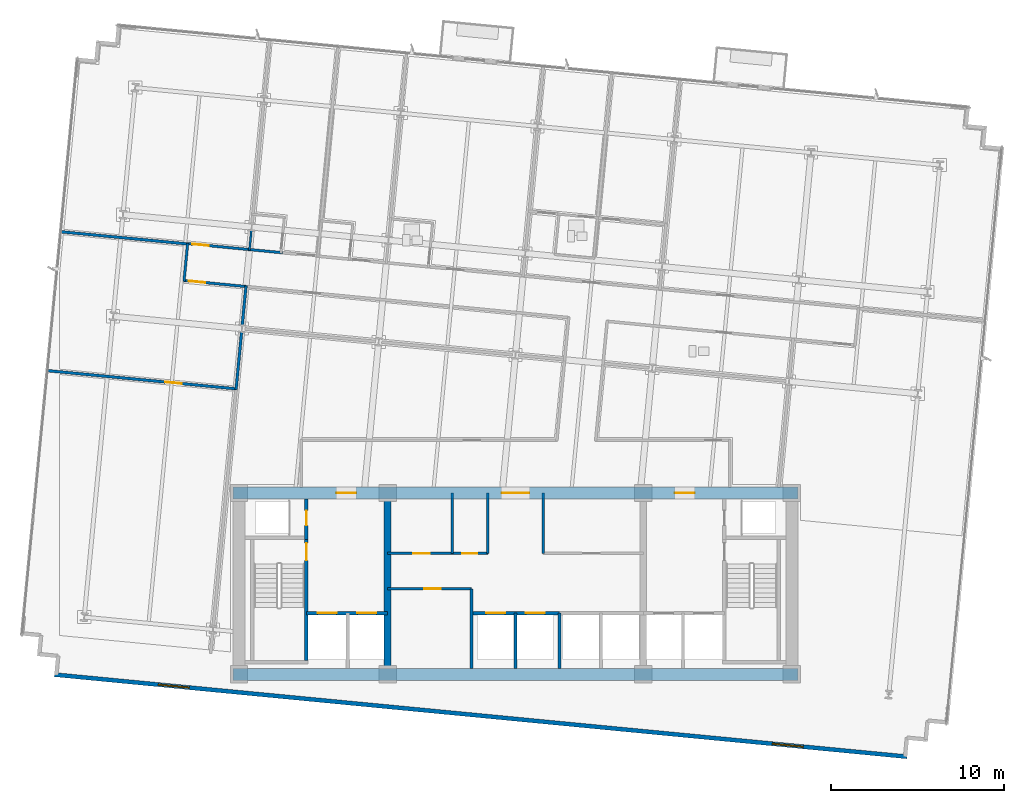
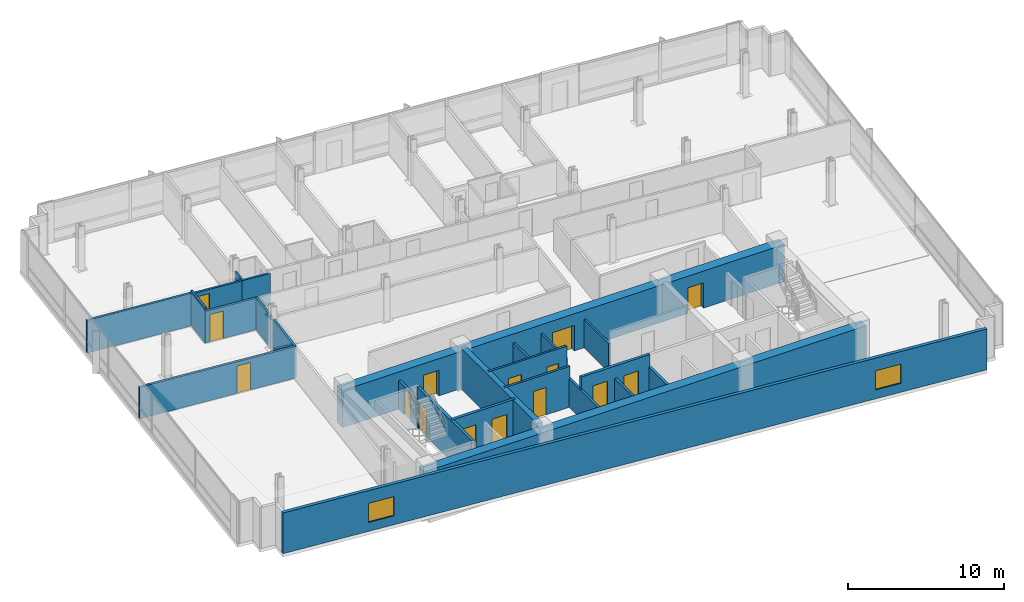
# One storey, part 10 of 17: 25 walls, 15 doors, 2 windows, 17 openings.
"""IFC4 building model written with IfcOpenShell, lengths in metres."""

from ifc_helpers import new_model, si_unit, direction, frame, frame_2d, origin, place, context, subcontext, project, spatial, rectangle, extrude, material, layer, layer_set, type_object, element, fill, save


model = new_model("IFC4")

# Units and contexts
model_context = context("Model", 3, precision=1e-05, world=origin(), true_north=direction((0.0, 1.0)))
body_context = subcontext(model_context, "Body", "Model", "MODEL_VIEW")
ifc_project = project(units=[si_unit("LENGTHUNIT", "METRE"), si_unit("AREAUNIT", "SQUARE_METRE"), si_unit("VOLUMEUNIT", "CUBIC_METRE"), si_unit("PLANEANGLEUNIT", "RADIAN"), si_unit("MASSUNIT", "GRAM", prefix="KILO")], contexts=[model_context])

# Site, building, storey
site_placement = place(None, origin())
site = spatial("IfcSite", under=ifc_project, at=site_placement, CompositionType="ELEMENT")
building_placement = place(site_placement, origin())
building = spatial("IfcBuilding", under=site, at=building_placement, Name="Solmavex Isthmus Hotel", CompositionType="ELEMENT")
storey_placement = place(building_placement, frame((0.0, 0.0, 149.699951171875)))
storey = spatial("IfcBuildingStorey", under=building, at=storey_placement, Name="L40", CompositionType="ELEMENT", Elevation=149.699951171875)

# Wall, openings, windows
ifc_material_1 = material(Name="Precast Concrete C40/50", Category="concrete")
ifc_layer_1 = layer(ifc_material_1, 0.25)
ifc_layer_set_1 = layer_set([ifc_layer_1], Name="Precast Concrete C40/50")
wall_type_1 = type_object("IfcWallType", Name="EW-TWR-250", PredefinedType="STANDARD", material=ifc_layer_set_1)
wall_1_placement = place(storey_placement, frame((-26.6953125, -13.01611328125, 0.0), z_axis=(0.0, 0.0, 1.0), x_axis=(0.995396268366, -0.095845025554, 0.0)))
wall_1 = element("IfcWall", 1, at=wall_1_placement, inside=storey, type_object=wall_type_1, Name="Tower Rear South Facade Wall L40", PredefinedType="STANDARD", context=body_context, shape_type="SweptSolid", body=[
    extrude(rectangle(XDim=49.599853515625, YDim=0.239990234375, at=frame_2d((24.7998046875, 0.0))), origin(), (0.0, 0.0, 1.0), 3.18994140625),
])
opening_1_placement = place(wall_1_placement, frame((6.0439453125, 0.0, 0.699951171875)))
opening_1 = element("IfcOpeningElement", 2, at=opening_1_placement, cuts=wall_1, Name="Opening WN-02", PredefinedType="OPENING", context=body_context, shape_type="SweptSolid", body=[
    extrude(rectangle(XDim=1.800048828125, YDim=1.5, at=frame_2d((0.89990234375, 0.75))), frame((0.0, 0.1298828125, 0.0), z_axis=(0.0, -1.0, 0.0), x_axis=(1.0, 0.0, 0.0)), (0.0, 0.0, 1.0), 0.260009765625),
])
opening_2_placement = place(wall_1_placement, frame((41.756103515625, 0.0, 0.699951171875)))
opening_2 = element("IfcOpeningElement", 3, at=opening_2_placement, cuts=wall_1, Name="Opening WN-02", PredefinedType="OPENING", context=body_context, shape_type="SweptSolid", body=[
    extrude(rectangle(XDim=1.800048828125, YDim=1.5, at=frame_2d((0.89990234375, 0.75))), frame((0.0, 0.1298828125, 0.0), z_axis=(0.0, -1.0, 0.0), x_axis=(1.0, 0.0, 0.0)), (0.0, 0.0, 1.0), 0.260009765625),
])
ifc_material_2 = material(Name="Clear low-E laminated glass", Category="glass")
window_type = type_object("IfcWindowType", Name="WIN-TWR-1800", PartitioningType="SINGLE_PANEL", PredefinedType="WINDOW", material=ifc_material_2)
window_1_placement = place(opening_1_placement, origin())
window_1 = element("IfcWindow", 4, at=window_1_placement, inside=storey, type_object=window_type, Name="South Facade Vision Window L40-S1", OverallHeight=1.5, OverallWidth=1.800048828125, PartitioningType="SINGLE_PANEL", PredefinedType="WINDOW", context=body_context, shape_type="SweptSolid", body=[
    extrude(rectangle(XDim=1.800048828125, YDim=1.5, at=frame_2d((0.89990234375, 0.75))), frame((0.0, 0.030029296875, 0.0), z_axis=(0.0, -1.0, 0.0), x_axis=(1.0, 0.0, 0.0)), (0.0, 0.0, 1.0), 0.06005859375),
])
fill(opening_1, window_1)
window_2_placement = place(opening_2_placement, origin())
window_2 = element("IfcWindow", 5, at=window_2_placement, inside=storey, type_object=window_type, Name="South Facade Vision Window L40-S2", OverallHeight=1.5, OverallWidth=1.800048828125, PartitioningType="SINGLE_PANEL", PredefinedType="WINDOW", context=body_context, shape_type="SweptSolid", body=[
    extrude(rectangle(XDim=1.800048828125, YDim=1.5, at=frame_2d((0.89990234375, 0.75))), frame((0.0, 0.030029296875, 0.0), z_axis=(0.0, -1.0, 0.0), x_axis=(1.0, 0.0, 0.0)), (0.0, 0.0, 1.0), 0.06005859375),
])
fill(opening_2, window_2)

# Wall, opening, door
ifc_material_3 = material(Name="Gypsum plasterboard lining", Category="gypsum")
ifc_layer_2 = layer(ifc_material_3, 0.159912109375)
ifc_layer_set_2 = layer_set([ifc_layer_2], Name="Gypsum plasterboard lining")
wall_type_2 = type_object("IfcWallType", Name="IW-COMP-160", PredefinedType="PARTITIONING", material=ifc_layer_set_2)
wall_2_placement = place(storey_placement, frame((-7.39990234375, -8.050048828125, 0.0), z_axis=(0.0, 0.0, 1.0), x_axis=(1.0, 0.0, 0.0)))
wall_2 = element("IfcWall", 6, at=wall_2_placement, inside=storey, type_object=wall_type_2, Name="Interior Partition Wall W-L40-REC-PLL-N", PredefinedType="PARTITIONING", context=body_context, shape_type="SweptSolid", body=[
    extrude(rectangle(XDim=4.849853515625, YDim=0.159912109375, at=frame_2d((2.4248046875, 0.0))), origin(), (0.0, 0.0, 1.0), 3.18994140625),
])
opening_3_placement = place(wall_2_placement, frame((2.125, 0.0, 0.0)))
opening_3 = element("IfcOpeningElement", 7, at=opening_3_placement, cuts=wall_2, Name="Opening ID-C095", PredefinedType="OPENING", context=body_context, shape_type="SweptSolid", body=[
    extrude(rectangle(XDim=0.949951171875, YDim=2.14990234375, at=frame_2d((0.47509765625, 1.074951171875))), frame((0.0, 0.08984375, 0.0), z_axis=(0.0, -1.0, 0.0), x_axis=(1.0, 0.0, 0.0)), (0.0, 0.0, 1.0), 0.179931640625),
])
ifc_material_4 = material(Name="Hardwood timber", Category="wood")
door_type_1 = type_object("IfcDoorType", Name="IDR-FD60-0950", OperationType="NOTDEFINED", PredefinedType="DOOR", material=ifc_material_4)
door_1_placement = place(opening_3_placement, origin())
door_1 = element("IfcDoor", 8, at=door_1_placement, inside=storey, type_object=door_type_1, Name="Linen Reserve Door L40", OperationType="SINGLE_SWING_LEFT", OverallHeight=2.14990234375, OverallWidth=0.949951171875, PredefinedType="DOOR", context=body_context, shape_type="SweptSolid", body=[
    extrude(rectangle(XDim=0.949951171875, YDim=2.14990234375, at=frame_2d((0.47509765625, 1.074951171875))), frame((0.0, 0.02490234375, 0.0), z_axis=(0.0, -1.0, 0.0), x_axis=(1.0, 0.0, 0.0)), (0.0, 0.0, 1.0), 0.050048828125),
])
fill(opening_3, door_1)

# Walls
wall_3_placement = place(storey_placement, frame((-2.550048828125, -12.64990234375, 0.0), z_axis=(0.0, 0.0, 1.0), x_axis=(0.0, 1.0, 0.0)))
element("IfcWall", 9, at=wall_3_placement, inside=storey, type_object=wall_type_2, Name="Interior Partition Wall W-L40-REC-PLL-E", PredefinedType="PARTITIONING", context=body_context, shape_type="SweptSolid", body=[
    extrude(rectangle(XDim=4.599853515625, YDim=0.159912109375, at=frame_2d((2.2998046875, 0.0))), origin(), (0.0, 0.0, 1.0), 2.22509765625),
])
wall_4_placement = place(storey_placement, frame((-18.942138671875, 11.91552734375, 0.0), z_axis=(0.0, 0.0, 1.0), x_axis=(-0.995395927026, 0.095848570461, 0.0)))
element("IfcWall", 10, at=wall_4_placement, inside=storey, type_object=wall_type_2, Name="Interior Partition Wall W-L40-P027", PredefinedType="PARTITIONING", context=body_context, shape_type="SweptSolid", body=[
    extrude(rectangle(XDim=7.44775390625, YDim=0.159912109375, at=frame_2d((3.723876953125, 0.0))), origin(), (0.0, 0.0, 1.0), 2.5576171875),
])
wall_5_placement = place(storey_placement, frame((-15.820556640625, 7.190673828125, 0.0), z_axis=(0.0, 0.0, 1.0), x_axis=(0.09580488871, 0.995400132258, 0.0)))
element("IfcWall", 11, at=wall_5_placement, inside=storey, type_object=wall_type_2, Name="Interior Partition Wall W-L40-P059", PredefinedType="PARTITIONING", context=body_context, shape_type="SweptSolid", body=[
    extrude(rectangle(XDim=2.31396484375, YDim=0.159912109375, at=frame_2d((1.156982421875, 0.0))), origin(), (0.0, 0.0, 1.0), 2.4794921875),
])
wall_6_placement = place(storey_placement, frame((-15.854248046875, 6.84033203125, 0.0), z_axis=(0.0, 0.0, 1.0), x_axis=(-0.095867281951, -0.995394125084, 0.0)))
element("IfcWall", 12, at=wall_6_placement, inside=storey, type_object=wall_type_2, Name="Interior Partition Wall W-L40-P064", PredefinedType="PARTITIONING", context=body_context, shape_type="SweptSolid", body=[
    extrude(rectangle(XDim=3.364013671875, YDim=0.159912109375, at=frame_2d((1.68212890625, 0.0))), origin(), (0.0, 0.0, 1.0), 2.4794921875),
])

# Wall, opening, door
wall_7_placement = place(storey_placement, frame((-16.133056640625, 3.52783203125, 0.0), z_axis=(0.0, 0.0, 1.0), x_axis=(-0.99539691551, 0.095838304419, 0.0)))
wall_7 = element("IfcWall", 13, at=wall_7_placement, inside=storey, type_object=wall_type_2, Name="Interior Partition Wall W-L40-P065", PredefinedType="PARTITIONING", context=body_context, shape_type="SweptSolid", body=[
    extrude(rectangle(XDim=11.048095703125, YDim=0.159912109375, at=frame_2d((5.52392578125, 0.0))), origin(), (0.0, 0.0, 1.0), 2.4794921875),
])
opening_4_placement = place(wall_7_placement, frame((3.206298828125, 0.0, 0.0)))
opening_4 = element("IfcOpeningElement", 14, at=opening_4_placement, cuts=wall_7, Name="Opening ID-C095", PredefinedType="OPENING", context=body_context, shape_type="SweptSolid", body=[
    extrude(rectangle(XDim=0.949951171875, YDim=2.14990234375, at=frame_2d((0.47509765625, 1.074951171875))), frame((0.0, 0.08984375, 0.0), z_axis=(0.0, -1.0, 0.0), x_axis=(1.0, 0.0, 0.0)), (0.0, 0.0, 1.0), 0.179931640625),
])
door_2_placement = place(opening_4_placement, origin())
door_2 = element("IfcDoor", 15, at=door_2_placement, inside=storey, type_object=door_type_1, Name="Corporate Briefing Office Door L40-19", OperationType="SINGLE_SWING_LEFT", OverallHeight=2.14990234375, OverallWidth=0.949951171875, PredefinedType="DOOR", context=body_context, shape_type="SweptSolid", body=[
    extrude(rectangle(XDim=0.949951171875, YDim=2.14990234375, at=frame_2d((0.47509765625, 1.074951171875))), frame((0.0, 0.02490234375, 0.0), z_axis=(0.0, -1.0, 0.0), x_axis=(1.0, 0.0, 0.0)), (0.0, 0.0, 1.0), 0.050048828125),
])
fill(opening_4, door_2)

# Wall, openings, doors
ifc_layer_3 = layer(ifc_material_3, 0.14990234375)
ifc_layer_set_3 = layer_set([ifc_layer_3], Name="Gypsum plasterboard lining")
wall_type_3 = type_object("IfcWallType", Name="IW-CORR-150", PredefinedType="PARTITIONING", material=ifc_layer_set_3)
wall_8_placement = place(storey_placement, frame((-7.39990234375, -6.0, 0.0), z_axis=(0.0, 0.0, 1.0), x_axis=(1.0, 0.0, 0.0)))
wall_8 = element("IfcWall", 16, at=wall_8_placement, inside=storey, type_object=wall_type_3, Name="Interior Partition Wall W-L40-BOH-WS", PredefinedType="PARTITIONING", context=body_context, shape_type="SweptSolid", body=[
    extrude(rectangle(XDim=5.7998046875, YDim=0.14990234375, at=frame_2d((2.89990234375, 0.0))), origin(), (0.0, 0.0, 1.0), 3.18994140625),
])
opening_5_placement = place(wall_8_placement, frame((1.47509765625, 0.0, 0.0)))
opening_5 = element("IfcOpeningElement", 17, at=opening_5_placement, cuts=wall_8, Name="Opening ID-C095", PredefinedType="OPENING", context=body_context, shape_type="SweptSolid", body=[
    extrude(rectangle(XDim=0.949951171875, YDim=2.14990234375, at=frame_2d((0.47509765625, 1.074951171875))), frame((0.0, 0.0849609375, 0.0), z_axis=(0.0, -1.0, 0.0), x_axis=(1.0, 0.0, 0.0)), (0.0, 0.0, 1.0), 0.169921875),
])
opening_6_placement = place(wall_8_placement, frame((4.324951171875, 0.0, 0.0)))
opening_6 = element("IfcOpeningElement", 18, at=opening_6_placement, cuts=wall_8, Name="Opening ID-R085", PredefinedType="OPENING", context=body_context, shape_type="SweptSolid", body=[
    extrude(rectangle(XDim=0.85009765625, YDim=2.050048828125, at=frame_2d((0.425048828125, 1.02490234375))), frame((0.0, 0.0849609375, 0.0), z_axis=(0.0, -1.0, 0.0), x_axis=(1.0, 0.0, 0.0)), (0.0, 0.0, 1.0), 0.169921875),
])
ifc_material_5 = material(Name="Steel ASTM A500 Grade C", Category="steel")
door_type_2 = type_object("IfcDoorType", Name="IDR-FD60-0850", OperationType="NOTDEFINED", PredefinedType="DOOR", material=ifc_material_5)
door_3_placement = place(opening_6_placement, frame((0.85009765625, 0.0, 0.0), z_axis=(0.0, 0.0, 1.0), x_axis=(-1.0, 0.0, 0.0)))
door_3 = element("IfcDoor", 19, at=door_3_placement, inside=storey, type_object=door_type_2, Name="Cleaner Closet Door L40", OperationType="SINGLE_SWING_RIGHT", OverallHeight=2.050048828125, OverallWidth=0.85009765625, PredefinedType="DOOR", context=body_context, shape_type="SweptSolid", body=[
    extrude(rectangle(XDim=0.85009765625, YDim=2.050048828125, at=frame_2d((0.425048828125, 1.02490234375))), frame((0.0, 0.02490234375, 0.0), z_axis=(0.0, -1.0, 0.0), x_axis=(1.0, 0.0, 0.0)), (0.0, 0.0, 1.0), 0.050048828125),
])
fill(opening_6, door_3)
door_4_placement = place(opening_5_placement, frame((0.949951171875, 0.0, 0.0), z_axis=(0.0, 0.0, 1.0), x_axis=(-1.0, 0.0, 0.0)))
door_4 = element("IfcDoor", 20, at=door_4_placement, inside=storey, type_object=door_type_1, Name="Housekeeping Store Door L40", OperationType="SINGLE_SWING_LEFT", OverallHeight=2.14990234375, OverallWidth=0.949951171875, PredefinedType="DOOR", context=body_context, shape_type="SweptSolid", body=[
    extrude(rectangle(XDim=0.949951171875, YDim=2.14990234375, at=frame_2d((0.47509765625, 1.074951171875))), frame((0.0, 0.02490234375, 0.0), z_axis=(0.0, -1.0, 0.0), x_axis=(1.0, 0.0, 0.0)), (0.0, 0.0, 1.0), 0.050048828125),
])
fill(opening_5, door_4)

# Walls
for number, where, z_axis, x_axis, name in (
    (21, (-1.60009765625, -6.0, 0.0), (0.0, 0.0, 1.0), (0.0, 1.0, 0.0), "Interior Partition Wall W-L40-BOH-WE"),
    (22, (1.60009765625, -6.0, 0.0), (0.0, 0.0, 1.0), (0.0, 1.0, 0.0), "Interior Partition Wall W-L40-BOH-EW"),
):
    element("IfcWall", number, at=place(storey_placement, frame(where, z_axis=z_axis, x_axis=x_axis)), inside=storey, type_object=wall_type_3, Name=name, PredefinedType="PARTITIONING", context=body_context, shape_type="SweptSolid", body=[
        extrude(rectangle(XDim=3.5, YDim=0.14990234375, at=frame_2d((1.75, 0.0))), origin(), (0.0, 0.0, 1.0), 2.22509765625),
    ])

# Wall, opening, door
wall_9_placement = place(storey_placement, frame((-19.019775390625, 11.943115234375, 0.0), z_axis=(0.0, 0.0, 1.0), x_axis=(0.995397364202, -0.095833644092, 0.0)))
wall_9 = element("IfcWall", 23, at=wall_9_placement, inside=storey, type_object=wall_type_3, Name="Interior Partition Wall W-L40-P001", PredefinedType="PARTITIONING", context=body_context, shape_type="SweptSolid", body=[
    extrude(rectangle(XDim=3.721923828125, YDim=0.14990234375, at=frame_2d((1.86083984375, 0.0))), origin(), (0.0, 0.0, 1.0), 2.4794921875),
])
opening_7_placement = place(wall_9_placement, frame((0.315185546875, 0.0, 0.0)))
opening_7 = element("IfcOpeningElement", 24, at=opening_7_placement, cuts=wall_9, Name="Opening ID-C095", PredefinedType="OPENING", context=body_context, shape_type="SweptSolid", body=[
    extrude(rectangle(XDim=0.949951171875, YDim=2.14990234375, at=frame_2d((0.47509765625, 1.074951171875))), frame((0.0, 0.0849609375, 0.0), z_axis=(0.0, -1.0, 0.0), x_axis=(1.0, 0.0, 0.0)), (0.0, 0.0, 1.0), 0.169921875),
])
door_5_placement = place(opening_7_placement, frame((0.949951171875, 0.0, 0.0), z_axis=(0.0, 0.0, 1.0), x_axis=(-1.0, 0.0, 0.0)))
door_5 = element("IfcDoor", 25, at=door_5_placement, inside=storey, type_object=door_type_1, Name="Executive Hospitality Lounge Door L40-01", OperationType="SINGLE_SWING_LEFT", OverallHeight=2.14990234375, OverallWidth=0.949951171875, PredefinedType="DOOR", context=body_context, shape_type="SweptSolid", body=[
    extrude(rectangle(XDim=0.949951171875, YDim=2.14990234375, at=frame_2d((0.47509765625, 1.074951171875))), frame((0.0, 0.02490234375, 0.0), z_axis=(0.0, -1.0, 0.0), x_axis=(1.0, 0.0, 0.0)), (0.0, 0.0, 1.0), 0.050048828125),
])
fill(opening_7, door_5)

# Wall
wall_10_placement = place(storey_placement, frame((-15.478271484375, 11.60205078125, 0.0), z_axis=(0.0, 0.0, 1.0), x_axis=(0.995394211968, -0.095866379824, 0.0)))
element("IfcWall", 26, at=wall_10_placement, inside=storey, type_object=wall_type_3, Name="Interior Partition Wall W-L40-P003", PredefinedType="PARTITIONING", context=body_context, shape_type="SweptSolid", body=[
    extrude(rectangle(XDim=1.994140625, YDim=0.14990234375, at=frame_2d((0.9970703125, 0.0))), origin(), (0.0, 0.0, 1.0), 2.4794921875),
])

# Wall, opening, door
wall_11_placement = place(storey_placement, frame((-15.52099609375, 9.4462890625, 0.0), z_axis=(0.0, 0.0, 1.0), x_axis=(-0.995397364202, 0.095833644092, 0.0)))
wall_11 = element("IfcWall", 27, at=wall_11_placement, inside=storey, type_object=wall_type_3, Name="Interior Partition Wall W-L40-P017", PredefinedType="PARTITIONING", context=body_context, shape_type="SweptSolid", body=[
    extrude(rectangle(XDim=3.721923828125, YDim=0.14990234375, at=frame_2d((1.86083984375, 0.0))), origin(), (0.0, 0.0, 1.0), 2.4794921875),
])
opening_8_placement = place(wall_11_placement, frame((2.456787109375, 0.0, 0.0)))
opening_8 = element("IfcOpeningElement", 28, at=opening_8_placement, cuts=wall_11, Name="Opening ID-C095", PredefinedType="OPENING", context=body_context, shape_type="SweptSolid", body=[
    extrude(rectangle(XDim=0.949951171875, YDim=2.14990234375, at=frame_2d((0.47509765625, 1.074951171875))), frame((0.0, 0.0849609375, 0.0), z_axis=(0.0, -1.0, 0.0), x_axis=(1.0, 0.0, 0.0)), (0.0, 0.0, 1.0), 0.169921875),
])
door_6_placement = place(opening_8_placement, frame((0.949951171875, 0.0, 0.0), z_axis=(0.0, 0.0, 1.0), x_axis=(-1.0, 0.0, 0.0)))
door_6 = element("IfcDoor", 29, at=door_6_placement, inside=storey, type_object=door_type_1, Name="Executive Hospitality Lounge Door L40-16", OperationType="SINGLE_SWING_RIGHT", OverallHeight=2.14990234375, OverallWidth=0.949951171875, PredefinedType="DOOR", context=body_context, shape_type="SweptSolid", body=[
    extrude(rectangle(XDim=0.949951171875, YDim=2.14990234375, at=frame_2d((0.47509765625, 1.074951171875))), frame((0.0, 0.02490234375, 0.0), z_axis=(0.0, -1.0, 0.0), x_axis=(1.0, 0.0, 0.0)), (0.0, 0.0, 1.0), 0.050048828125),
])
fill(opening_8, door_6)

# Walls
wall_12_placement = place(storey_placement, frame((-19.18994140625, 9.75927734375, 0.0), z_axis=(0.0, 0.0, 1.0), x_axis=(0.095882898123, 0.995392620953, 0.0)))
element("IfcWall", 30, at=wall_12_placement, inside=storey, type_object=wall_type_3, Name="Interior Partition Wall W-L40-P018", PredefinedType="PARTITIONING", context=body_context, shape_type="SweptSolid", body=[
    extrude(rectangle(XDim=2.210205078125, YDim=0.14990234375, at=frame_2d((1.10498046875, 0.0))), origin(), (0.0, 0.0, 1.0), 2.71826171875),
])
ifc_layer_4 = layer(ifc_material_3, 0.1201171875)
ifc_layer_set_4 = layer_set([ifc_layer_4], Name="Gypsum plasterboard lining")
wall_type_4 = type_object("IfcWallType", Name="IW-PART-120", PredefinedType="PARTITIONING", material=ifc_layer_set_4)
wall_13_placement = place(storey_placement, frame((-3.64990234375, -6.0, 0.0), z_axis=(0.0, 0.0, 1.0), x_axis=(0.0, 1.0, 0.0)))
element("IfcWall", 31, at=wall_13_placement, inside=storey, type_object=wall_type_4, Name="Interior Partition Wall W-L40-BOH-WM1", PredefinedType="PARTITIONING", context=body_context, shape_type="SweptSolid", body=[
    extrude(rectangle(XDim=3.5, YDim=0.14990234375, at=frame_2d((1.75, 0.0))), origin(), (0.0, 0.0, 1.0), 2.22509765625),
])
wall_14_placement = place(storey_placement, frame((-15.2880859375, 12.720947265625, 0.0), z_axis=(0.0, 0.0, 1.0), x_axis=(-0.095831494917, -0.995397571115, 0.0)))
element("IfcWall", 32, at=wall_14_placement, inside=storey, type_object=wall_type_4, Name="Interior Partition Wall W-L40-P026", PredefinedType="PARTITIONING", context=body_context, shape_type="SweptSolid", body=[
    extrude(rectangle(XDim=1.171875, YDim=0.1201171875, at=frame_2d((0.5859375, 0.0))), origin(), (0.0, 0.0, 1.0), 2.4794921875),
])
ifc_material_6 = material(Name="Concrete C40/50", Category="concrete")
ifc_layer_5 = layer(ifc_material_6, 0.179931640625)
ifc_layer_set_5 = layer_set([ifc_layer_5], Name="Concrete C40/50")
wall_type_5 = type_object("IfcWallType", Name="IW-SHAFT-180", PredefinedType="PARTITIONING", material=ifc_layer_set_5)
wall_15_placement = place(storey_placement, frame((0.0, -12.64990234375, 0.0), z_axis=(0.0, 0.0, 1.0), x_axis=(0.0, 1.0, 0.0)))
element("IfcWall", 33, at=wall_15_placement, inside=storey, type_object=wall_type_5, Name="Interior Partition Wall W-L40-SH-PLM-M", PredefinedType="PARTITIONING", context=body_context, shape_type="SweptSolid", body=[
    extrude(rectangle(XDim=3.199951171875, YDim=0.179931640625, at=frame_2d((1.60009765625, 0.0))), origin(), (0.0, 0.0, 1.0), 2.22509765625),
])

# Wall, opening, door
ifc_layer_6 = layer(ifc_material_6, 0.199951171875)
ifc_layer_set_6 = layer_set([ifc_layer_6], Name="Concrete C40/50")
wall_type_6 = type_object("IfcWallType", Name="IW-SHAFT-200", PredefinedType="PARTITIONING", material=ifc_layer_set_6)
wall_16_placement = place(storey_placement, frame((-12.10009765625, -5.199951171875, 0.0), z_axis=(0.0, 0.0, 1.0), x_axis=(0.0, 1.0, 0.0)))
wall_16 = element("IfcWall", 34, at=wall_16_placement, inside=storey, type_object=wall_type_6, Name="Interior Partition Wall W-L40-RSW-E", PredefinedType="PARTITIONING", context=body_context, shape_type="SweptSolid", body=[
    extrude(rectangle(XDim=2.349853515625, YDim=0.199951171875, at=frame_2d((1.1748046875, 0.0))), origin(), (0.0, 0.0, 1.0), 2.22509765625),
])
opening_9_placement = place(wall_16_placement, frame((0.824951171875, 0.0, 0.0)))
opening_9 = element("IfcOpeningElement", 35, at=opening_9_placement, cuts=wall_16, Name="Opening ID-R085", PredefinedType="OPENING", context=body_context, shape_type="SweptSolid", body=[
    extrude(rectangle(XDim=0.85009765625, YDim=2.050048828125, at=frame_2d((0.425048828125, 1.02490234375))), frame((0.0, 0.10986328125, 0.0), z_axis=(0.0, -1.0, 0.0), x_axis=(1.0, 0.0, 0.0)), (0.0, 0.0, 1.0), 0.219970703125),
])
door_7_placement = place(opening_9_placement, origin())
door_7 = element("IfcDoor", 36, at=door_7_placement, inside=storey, type_object=door_type_2, Name="Electrical Riser Door L40", OperationType="SINGLE_SWING_RIGHT", OverallHeight=2.050048828125, OverallWidth=0.85009765625, PredefinedType="DOOR", context=body_context, shape_type="SweptSolid", body=[
    extrude(rectangle(XDim=0.85009765625, YDim=2.050048828125, at=frame_2d((0.425048828125, 1.02490234375))), frame((0.0, 0.02490234375, 0.0), z_axis=(0.0, -1.0, 0.0), x_axis=(1.0, 0.0, 0.0)), (0.0, 0.0, 1.0), 0.050048828125),
])
fill(opening_9, door_7)

# Wall, openings, doors
wall_17_placement = place(storey_placement, frame((-12.10009765625, -9.449951171875, 0.0), z_axis=(0.0, 0.0, 1.0), x_axis=(1.0, 0.0, 0.0)))
wall_17 = element("IfcWall", 37, at=wall_17_placement, inside=storey, type_object=wall_type_6, Name="Interior Partition Wall W-L40-FFLW-S", PredefinedType="PARTITIONING", context=body_context, shape_type="SweptSolid", body=[
    extrude(rectangle(XDim=4.7001953125, YDim=0.199951171875, at=frame_2d((2.35009765625, 0.0))), origin(), (0.0, 0.0, 1.0), 3.18994140625),
])
opening_10_placement = place(wall_17_placement, frame((0.64990234375, 0.0, 0.0)))
opening_10 = element("IfcOpeningElement", 38, at=opening_10_placement, cuts=wall_17, Name="Opening LD-FF", PredefinedType="OPENING", context=body_context, shape_type="SweptSolid", body=[
    extrude(rectangle(XDim=1.10009765625, YDim=2.199951171875, at=frame_2d((0.550048828125, 1.10009765625))), frame((0.0, 0.10986328125, 0.0), z_axis=(0.0, -1.0, 0.0), x_axis=(1.0, 0.0, 0.0)), (0.0, 0.0, 1.0), 0.219970703125),
])
opening_11_placement = place(wall_17_placement, frame((2.949951171875, 0.0, 0.0)))
opening_11 = element("IfcOpeningElement", 39, at=opening_11_placement, cuts=wall_17, Name="Opening LD-SV", PredefinedType="OPENING", context=body_context, shape_type="SweptSolid", body=[
    extrude(rectangle(XDim=1.10009765625, YDim=2.199951171875, at=frame_2d((0.550048828125, 1.10009765625))), frame((0.0, 0.10986328125, 0.0), z_axis=(0.0, -1.0, 0.0), x_axis=(1.0, 0.0, 0.0)), (0.0, 0.0, 1.0), 0.219970703125),
])
ifc_material_7 = material(Name="Stainless steel 316", Category="steel")
door_type_3 = type_object("IfcDoorType", Name="LDR-FF-1100", OperationType="NOTDEFINED", PredefinedType="DOOR", material=ifc_material_7)
door_8_placement = place(opening_10_placement, origin())
door_8 = element("IfcDoor", 40, at=door_8_placement, inside=storey, type_object=door_type_3, Name="Lift Landing Door FFL-1 L40", OperationType="SLIDING_TO_LEFT", OverallHeight=2.199951171875, OverallWidth=1.10009765625, PredefinedType="DOOR", context=body_context, shape_type="SweptSolid", body=[
    extrude(rectangle(XDim=1.10009765625, YDim=2.199951171875, at=frame_2d((0.550048828125, 1.10009765625))), frame((0.0, 0.02490234375, 0.0), z_axis=(0.0, -1.0, 0.0), x_axis=(1.0, 0.0, 0.0)), (0.0, 0.0, 1.0), 0.050048828125),
])
fill(opening_10, door_8)
door_type_4 = type_object("IfcDoorType", Name="LDR-SV-1100", OperationType="NOTDEFINED", PredefinedType="DOOR", material=ifc_material_7)
door_9_placement = place(opening_11_placement, origin())
door_9 = element("IfcDoor", 41, at=door_9_placement, inside=storey, type_object=door_type_4, Name="Lift Landing Door SVL-1 L40", OperationType="SLIDING_TO_RIGHT", OverallHeight=2.199951171875, OverallWidth=1.10009765625, PredefinedType="DOOR", context=body_context, shape_type="SweptSolid", body=[
    extrude(rectangle(XDim=1.10009765625, YDim=2.199951171875, at=frame_2d((0.550048828125, 1.10009765625))), frame((0.0, 0.02490234375, 0.0), z_axis=(0.0, -1.0, 0.0), x_axis=(1.0, 0.0, 0.0)), (0.0, 0.0, 1.0), 0.050048828125),
])
fill(opening_11, door_9)

wall_18_placement = place(storey_placement, frame((-2.550048828125, -9.449951171875, 0.0), z_axis=(0.0, 0.0, 1.0), x_axis=(1.0, 0.0, 0.0)))
wall_18 = element("IfcWall", 42, at=wall_18_placement, inside=storey, type_object=wall_type_6, Name="Interior Partition Wall W-L40-SH-PLM", PredefinedType="PARTITIONING", context=body_context, shape_type="SweptSolid", body=[
    extrude(rectangle(XDim=5.10009765625, YDim=0.199951171875, at=frame_2d((2.550048828125, 0.0))), origin(), (0.0, 0.0, 1.0), 3.18994140625),
])
opening_12_placement = place(wall_18_placement, frame((0.85009765625, 0.0, 0.0)))
opening_12 = element("IfcOpeningElement", 43, at=opening_12_placement, cuts=wall_18, Name="Opening LD-PL", PredefinedType="OPENING", context=body_context, shape_type="SweptSolid", body=[
    extrude(rectangle(XDim=1.10009765625, YDim=2.199951171875, at=frame_2d((0.550048828125, 1.10009765625))), frame((0.0, 0.10986328125, 0.0), z_axis=(0.0, -1.0, 0.0), x_axis=(1.0, 0.0, 0.0)), (0.0, 0.0, 1.0), 0.219970703125),
])
opening_13_placement = place(wall_18_placement, frame((3.14990234375, 0.0, 0.0)))
opening_13 = element("IfcOpeningElement", 44, at=opening_13_placement, cuts=wall_18, Name="Opening LD-PL", PredefinedType="OPENING", context=body_context, shape_type="SweptSolid", body=[
    extrude(rectangle(XDim=1.10009765625, YDim=2.199951171875, at=frame_2d((0.550048828125, 1.10009765625))), frame((0.0, 0.10986328125, 0.0), z_axis=(0.0, -1.0, 0.0), x_axis=(1.0, 0.0, 0.0)), (0.0, 0.0, 1.0), 0.219970703125),
])
door_type_5 = type_object("IfcDoorType", Name="LDR-PL-1100", OperationType="NOTDEFINED", PredefinedType="DOOR", material=ifc_material_7)
door_10_placement = place(opening_12_placement, origin())
door_10 = element("IfcDoor", 45, at=door_10_placement, inside=storey, type_object=door_type_5, Name="Lift Landing Door PLM1 L40", OperationType="SLIDING_TO_RIGHT", OverallHeight=2.199951171875, OverallWidth=1.10009765625, PredefinedType="DOOR", context=body_context, shape_type="SweptSolid", body=[
    extrude(rectangle(XDim=1.10009765625, YDim=2.199951171875, at=frame_2d((0.550048828125, 1.10009765625))), frame((0.0, 0.02490234375, 0.0), z_axis=(0.0, -1.0, 0.0), x_axis=(1.0, 0.0, 0.0)), (0.0, 0.0, 1.0), 0.050048828125),
])
fill(opening_12, door_10)
door_11_placement = place(opening_13_placement, origin())
door_11 = element("IfcDoor", 46, at=door_11_placement, inside=storey, type_object=door_type_5, Name="Lift Landing Door PLM2 L40", OperationType="SLIDING_TO_RIGHT", OverallHeight=2.199951171875, OverallWidth=1.10009765625, PredefinedType="DOOR", context=body_context, shape_type="SweptSolid", body=[
    extrude(rectangle(XDim=1.10009765625, YDim=2.199951171875, at=frame_2d((0.550048828125, 1.10009765625))), frame((0.0, 0.02490234375, 0.0), z_axis=(0.0, -1.0, 0.0), x_axis=(1.0, 0.0, 0.0)), (0.0, 0.0, 1.0), 0.050048828125),
])
fill(opening_13, door_11)

# Walls
wall_19_placement = place(storey_placement, frame((2.550048828125, -12.64990234375, 0.0), z_axis=(0.0, 0.0, 1.0), x_axis=(0.0, 1.0, 0.0)))
element("IfcWall", 47, at=wall_19_placement, inside=storey, type_object=wall_type_6, Name="Interior Partition Wall W-L40-SH-PLM-E", PredefinedType="PARTITIONING", context=body_context, shape_type="SweptSolid", body=[
    extrude(rectangle(XDim=3.199951171875, YDim=0.199951171875, at=frame_2d((1.60009765625, 0.0))), origin(), (0.0, 0.0, 1.0), 2.22509765625),
])
ifc_material_8 = material(Name="Concrete C60/75", Category="concrete")
ifc_layer_7 = layer(ifc_material_8, 0.39990234375)
ifc_layer_set_7 = layer_set([ifc_layer_7], Name="Concrete C60/75")
wall_type_7 = type_object("IfcWallType", Name="WALL-CW-400M", PredefinedType="SHEAR", material=ifc_layer_set_7)
wall_20_placement = place(storey_placement, frame((-7.39990234375, -12.64990234375, 0.0), z_axis=(0.0, 0.0, 1.0), x_axis=(0.0, 1.0, 0.0)))
element("IfcWall", 48, at=wall_20_placement, inside=storey, type_object=wall_type_7, Name="Core Cross Shear Wall C1 L40", PredefinedType="SHEAR", context=body_context, shape_type="SweptSolid", body=[
    extrude(rectangle(XDim=9.7998046875, YDim=0.39990234375, at=frame_2d((4.89990234375, 0.0))), origin(), (0.0, 0.0, 1.0), 3.18994140625),
])
ifc_layer_8 = layer(ifc_material_8, 0.699951171875)
ifc_layer_set_8 = layer_set([ifc_layer_8], Name="Concrete C60/75")
wall_type_8 = type_object("IfcWallType", Name="WALL-CW-700", PredefinedType="SHEAR", material=ifc_layer_set_8)
wall_21_placement = place(storey_placement, frame((-16.35009765625, -13.0, 0.0), z_axis=(0.0, 0.0, 1.0), x_axis=(1.0, 0.0, 0.0)))
element("IfcWall", 49, at=wall_21_placement, inside=storey, type_object=wall_type_8, Name="Core Shear Wall South L40", PredefinedType="SHEAR", context=body_context, shape_type="SweptSolid", body=[
    extrude(rectangle(XDim=32.7001953125, YDim=0.699951171875, at=frame_2d((16.35009765625, 0.0))), origin(), (0.0, 0.0, 1.0), 2.91015625),
])

# Wall, openings, doors
wall_22_placement = place(storey_placement, frame((-16.35009765625, -2.5, 0.0), z_axis=(0.0, 0.0, 1.0), x_axis=(1.0, 0.0, 0.0)))
wall_22 = element("IfcWall", 50, at=wall_22_placement, inside=storey, type_object=wall_type_8, Name="Core Shear Wall North L40", PredefinedType="SHEAR", context=body_context, shape_type="SweptSolid", body=[
    extrude(rectangle(XDim=32.7001953125, YDim=0.699951171875, at=frame_2d((16.35009765625, 0.0))), origin(), (0.0, 0.0, 1.0), 2.91015625),
])
opening_14_placement = place(wall_22_placement, frame((5.97509765625, 0.0, 0.0)))
opening_14 = element("IfcOpeningElement", 51, at=opening_14_placement, cuts=wall_22, Name="Opening ID-F915", PredefinedType="OPENING", context=body_context, shape_type="SweptSolid", body=[
    extrude(rectangle(XDim=1.14990234375, YDim=2.0, at=frame_2d((0.574951171875, 1.0))), frame((0.0, 0.35986328125, 0.0), z_axis=(0.0, -1.0, 0.0), x_axis=(1.0, 0.0, 0.0)), (0.0, 0.0, 1.0), 0.719970703125),
])
opening_15_placement = place(wall_22_placement, frame((15.550048828125, 0.0, 0.0)))
opening_15 = element("IfcOpeningElement", 52, at=opening_15_placement, cuts=wall_22, Name="Opening ID-F960", PredefinedType="OPENING", context=body_context, shape_type="SweptSolid", body=[
    extrude(rectangle(XDim=1.60009765625, YDim=2.0, at=frame_2d((0.800048828125, 1.0))), frame((0.0, 0.35986328125, 0.0), z_axis=(0.0, -1.0, 0.0), x_axis=(1.0, 0.0, 0.0)), (0.0, 0.0, 1.0), 0.719970703125),
])
opening_16_placement = place(wall_22_placement, frame((25.574951171875, 0.0, 0.0)))
opening_16 = element("IfcOpeningElement", 53, at=opening_16_placement, cuts=wall_22, Name="Opening ID-F915", PredefinedType="OPENING", context=body_context, shape_type="SweptSolid", body=[
    extrude(rectangle(XDim=1.14990234375, YDim=2.0, at=frame_2d((0.574951171875, 1.0))), frame((0.0, 0.35986328125, 0.0), z_axis=(0.0, -1.0, 0.0), x_axis=(1.0, 0.0, 0.0)), (0.0, 0.0, 1.0), 0.719970703125),
])
door_type_6 = type_object("IfcDoorType", Name="IDR-FD90-1150C", OperationType="NOTDEFINED", PredefinedType="DOOR", material=ifc_material_5)
door_12_placement = place(opening_14_placement, origin())
door_12 = element("IfcDoor", 54, at=door_12_placement, inside=storey, type_object=door_type_6, Name="Firefighting Lobby West Exit Door L40", OperationType="SINGLE_SWING_LEFT", OverallHeight=2.0, OverallWidth=1.14990234375, PredefinedType="DOOR", context=body_context, shape_type="SweptSolid", body=[
    extrude(rectangle(XDim=1.14990234375, YDim=2.0, at=frame_2d((0.574951171875, 1.0))), frame((0.0, 0.02490234375, 0.0), z_axis=(0.0, -1.0, 0.0), x_axis=(1.0, 0.0, 0.0)), (0.0, 0.0, 1.0), 0.050048828125),
])
fill(opening_14, door_12)
door_13_placement = place(opening_16_placement, origin())
door_13 = element("IfcDoor", 55, at=door_13_placement, inside=storey, type_object=door_type_6, Name="Firefighting Lobby East Exit Door L40", OperationType="SINGLE_SWING_RIGHT", OverallHeight=2.0, OverallWidth=1.14990234375, PredefinedType="DOOR", context=body_context, shape_type="SweptSolid", body=[
    extrude(rectangle(XDim=1.14990234375, YDim=2.0, at=frame_2d((0.574951171875, 1.0))), frame((0.0, 0.02490234375, 0.0), z_axis=(0.0, -1.0, 0.0), x_axis=(1.0, 0.0, 0.0)), (0.0, 0.0, 1.0), 0.050048828125),
])
fill(opening_16, door_13)
door_type_7 = type_object("IfcDoorType", Name="IDR-FD90-1600C", OperationType="NOTDEFINED", PredefinedType="DOOR", material=ifc_material_5)
door_14_placement = place(opening_15_placement, origin())
door_14 = element("IfcDoor", 56, at=door_14_placement, inside=storey, type_object=door_type_7, Name="Central Lift Lobby Door L40", OperationType="DOUBLE_DOOR_SINGLE_SWING", OverallHeight=2.0, OverallWidth=1.60009765625, PredefinedType="DOOR", context=body_context, shape_type="SweptSolid", body=[
    extrude(rectangle(XDim=1.60009765625, YDim=2.0, at=frame_2d((0.800048828125, 1.0))), frame((0.0, 0.02490234375, 0.0), z_axis=(0.0, -1.0, 0.0), x_axis=(1.0, 0.0, 0.0)), (0.0, 0.0, 1.0), 0.050048828125),
])
fill(opening_15, door_14)

# Wall, opening, door
ifc_layer_9 = layer(ifc_material_6, 0.199951171875)
ifc_layer_set_9 = layer_set([ifc_layer_9], Name="Concrete C40/50")
wall_type_9 = type_object("IfcWallType", Name="WALL-SW-200", PredefinedType="SOLIDWALL", material=ifc_layer_set_9)
wall_23_placement = place(storey_placement, frame((-12.10009765625, -12.199951171875, 0.0), z_axis=(0.0, 0.0, 1.0), x_axis=(0.0, 1.0, 0.0)))
wall_23 = element("IfcWall", 57, at=wall_23_placement, inside=storey, type_object=wall_type_9, Name="Stairwell Structural Wall SW-L40-ST1-E", PredefinedType="SOLIDWALL", context=body_context, shape_type="SweptSolid", body=[
    extrude(rectangle(XDim=7.0, YDim=0.199951171875, at=frame_2d((3.5, 0.0))), origin(), (0.0, 0.0, 1.0), 3.18994140625),
])
opening_17_placement = place(wall_23_placement, frame((5.800048828125, 0.0, 0.0)))
opening_17 = element("IfcOpeningElement", 58, at=opening_17_placement, cuts=wall_23, Name="Opening ID-F100", PredefinedType="OPENING", context=body_context, shape_type="SweptSolid", body=[
    extrude(rectangle(XDim=1.0, YDim=2.10009765625, at=frame_2d((0.5, 1.050048828125))), frame((0.0, 0.10986328125, 0.0), z_axis=(0.0, -1.0, 0.0), x_axis=(1.0, 0.0, 0.0)), (0.0, 0.0, 1.0), 0.219970703125),
])
door_type_8 = type_object("IfcDoorType", Name="IDR-FD90-1000", OperationType="NOTDEFINED", PredefinedType="DOOR", material=ifc_material_5)
door_15_placement = place(opening_17_placement, frame((1.0, 0.0, 0.0), z_axis=(0.0, 0.0, 1.0), x_axis=(-1.0, 0.0, 0.0)))
door_15 = element("IfcDoor", 59, at=door_15_placement, inside=storey, type_object=door_type_8, Name="Stair ST-1 Fire Door L40", OperationType="SINGLE_SWING_LEFT", OverallHeight=2.10009765625, OverallWidth=1.0, PredefinedType="DOOR", context=body_context, shape_type="SweptSolid", body=[
    extrude(rectangle(XDim=1.0, YDim=2.10009765625, at=frame_2d((0.5, 1.050048828125))), frame((0.0, 0.02490234375, 0.0), z_axis=(0.0, -1.0, 0.0), x_axis=(1.0, 0.0, 0.0)), (0.0, 0.0, 1.0), 0.050048828125),
])
fill(opening_17, door_15)

save(model, "model.ifc")
